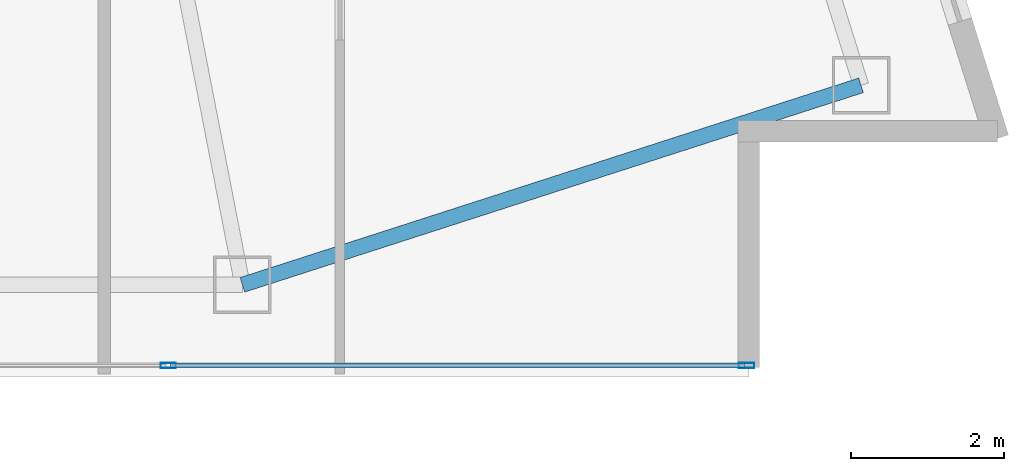
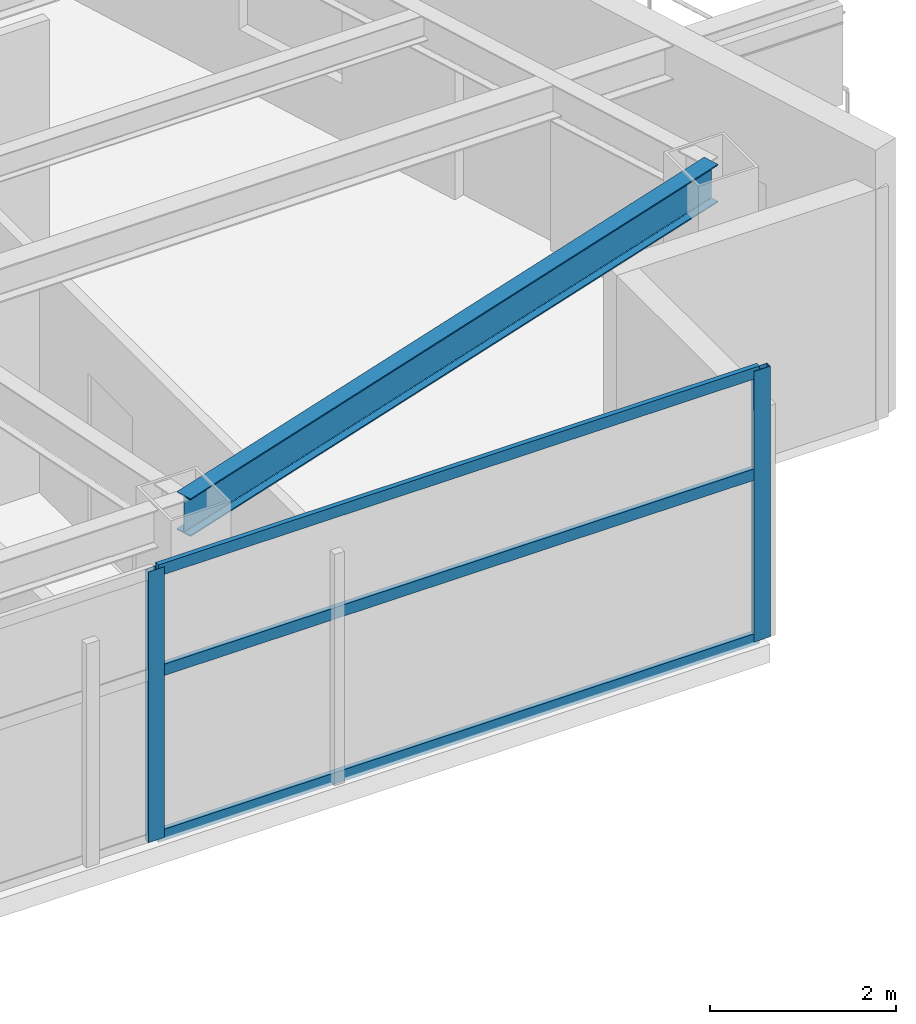
# One storey, part 14 of 29: 5 members, 1 beam, 1 element without a shape of its own.
"""IFC4 building model written with IfcOpenShell, lengths in metres."""

from ifc_helpers import new_model, si_unit, direction, frame, origin, origin_2d, place, context, subcontext, project, spatial, hollow_rectangle, i_section, extrude, material, layer, layer_set, material_profile, profile_set, type_object, element, aggregate, save


model = new_model("IFC4")

# Units and contexts
model_context = context("Model", 3, precision=1e-05, world=origin(), true_north=direction((0.0, 1.0)))
body_context = subcontext(model_context, "Body", "Model", "MODEL_VIEW")
ifc_project = project(units=[si_unit("LENGTHUNIT", "METRE"), si_unit("AREAUNIT", "SQUARE_METRE"), si_unit("VOLUMEUNIT", "CUBIC_METRE"), si_unit("PLANEANGLEUNIT", "RADIAN"), si_unit("MASSUNIT", "GRAM", prefix="KILO")], contexts=[model_context])

# Site, building, storey
site_placement = place(None, origin())
site = spatial("IfcSite", under=ifc_project, at=site_placement, CompositionType="ELEMENT")
building_placement = place(site_placement, origin())
building = spatial("IfcBuilding", under=site, at=building_placement, Name="Calvorn Quay Hotel", CompositionType="ELEMENT")
storey_placement = place(building_placement, frame((0.0, 0.0, 167.5)))
storey = spatial("IfcBuildingStorey", under=building, at=storey_placement, Name="L41", CompositionType="ELEMENT", Elevation=167.5)

# Beam
ifc_material_1 = material(Name="Steel Q355B", Category="steel")
ifc_material_profile_1 = material_profile(ifc_material_1, i_section(OverallWidth=0.199951171875, OverallDepth=0.5, WebThickness=0.010009765625, FlangeThickness=0.01611328125, FilletRadius=0.01611328125, at=origin_2d()), Name="HN500x200x10x16")
ifc_profile_set_1 = profile_set([ifc_material_profile_1], Name="Steel Q355B")
beam_type = type_object("IfcBeamType", Name="BM-SPANDREL-Z1", PredefinedType="SPANDREL", material=ifc_profile_set_1)
beam_placement = place(storey_placement, frame((49.39990234375, 3.60009765625, 3.2900390625), z_axis=(0.951725188386, 0.306951406237, 0.0), x_axis=(-0.306951406237, 0.951725188386, 0.0)))
element("IfcBeam", 1, at=beam_placement, inside=storey, type_object=beam_type, Name="Beam BSP-L41-S6", PredefinedType="SPANDREL", context=body_context, shape_type="SweptSolid", body=[
    extrude(i_section(OverallWidth=0.199951171875, OverallDepth=0.5, WebThickness=0.010009765625, FlangeThickness=0.01611328125, FilletRadius=0.01611328125, at=origin_2d()), origin(), (0.0, 0.0, 1.0), 8.469970703125),
])

# Curtain wall, members
ifc_material_2 = material(Name="Pale Anodised Aluminium and Low-E Glass", Category="aluminium")
ifc_layer = layer(ifc_material_2, 0.219970703125)
ifc_layer_set = layer_set([ifc_layer], Name="CW-SYS-Z2")
curtain_wall_type = type_object("IfcCurtainWallType", Name="CW-SYS-Z2", PredefinedType="NOTDEFINED", material=ifc_layer_set)
curtain_wall_placement = place(storey_placement, origin())
curtain_wall = element("IfcCurtainWall", 2, at=curtain_wall_placement, inside=storey, type_object=curtain_wall_type, Name="Tower South Waterfront Curtain Wall (L41)", PredefinedType="NOTDEFINED")
ifc_material_3 = material(Name="Pale Anodised Aluminium 6063-T6", Category="aluminium")
ifc_material_profile_2 = material_profile(ifc_material_3, hollow_rectangle(XDim=0.070068359375, YDim=0.199951171875, WallThickness=0.00390625, at=origin_2d()), Name="ALU-M200x70x4")
ifc_profile_set_2 = profile_set([ifc_material_profile_2], Name="Pale Anodised Aluminium 6063-T6")
member_type_1 = type_object("IfcMemberType", Name="CW-SYS-Z2-MUL", PredefinedType="MULLION", material=ifc_profile_set_2)
member_1_placement = place(storey_placement, frame((48.433349609375, 2.550048828125, 0.0), z_axis=(0.0, 0.0, 1.0), x_axis=(0.0, 1.0, 0.0)))
member_1 = element("IfcMember", 3, at=member_1_placement, type_object=member_type_1, Name="CW-L41-S mullion 6", PredefinedType="MULLION", context=body_context, shape_type="SweptSolid", body=[
    extrude(hollow_rectangle(XDim=0.070068359375, YDim=0.199951171875, WallThickness=0.00390625, at=origin_2d()), origin(), (0.0, 0.0, 1.0), 3.56005859375),
])
member_2_placement = place(storey_placement, frame((55.969970703125, 2.550048828125, 0.0), z_axis=(0.0, 0.0, 1.0), x_axis=(0.0, 1.0, 0.0)))
member_2 = element("IfcMember", 4, at=member_2_placement, type_object=member_type_1, Name="CW-L41-S mullion 7", PredefinedType="MULLION", context=body_context, shape_type="SweptSolid", body=[
    extrude(hollow_rectangle(XDim=0.070068359375, YDim=0.199951171875, WallThickness=0.00390625, at=origin_2d()), origin(), (0.0, 0.0, 1.0), 3.56005859375),
])
ifc_material_4 = material(Name="Pale Anodised Aluminium 6063-T6", Category="aluminium")
ifc_material_profile_3 = material_profile(ifc_material_4, hollow_rectangle(XDim=0.06005859375, YDim=0.14990234375, WallThickness=0.00341796875, at=origin_2d()), Name="ALU-T150x60x3.5")
ifc_profile_set_3 = profile_set([ifc_material_profile_3], Name="Pale Anodised Aluminium 6063-T6")
member_type_2 = type_object("IfcMemberType", Name="CW-SYS-Z2-TRN", PredefinedType="USERDEFINED", material=ifc_profile_set_3)
member_3_placement = place(storey_placement, frame((48.46337890625, 2.550048828125, 0.030029296875), z_axis=(1.0, 0.0, 0.0), x_axis=(0.0, 1.0, 0.0)))
member_3 = element("IfcMember", 5, at=member_3_placement, type_object=member_type_2, Name="CW-L41-S transom 6.1", ObjectType="TRANSOM", PredefinedType="USERDEFINED", context=body_context, shape_type="SweptSolid", body=[
    extrude(hollow_rectangle(XDim=0.06005859375, YDim=0.14990234375, WallThickness=0.00341796875, at=origin_2d()), origin(), (0.0, 0.0, 1.0), 7.4765625),
])
member_4_placement = place(storey_placement, frame((48.46337890625, 2.550048828125, 2.199951171875), z_axis=(1.0, 0.0, 0.0), x_axis=(0.0, 1.0, 0.0)))
member_4 = element("IfcMember", 6, at=member_4_placement, type_object=member_type_2, Name="CW-L41-S transom 6.2", ObjectType="TRANSOM", PredefinedType="USERDEFINED", context=body_context, shape_type="SweptSolid", body=[
    extrude(hollow_rectangle(XDim=0.06005859375, YDim=0.14990234375, WallThickness=0.00341796875, at=origin_2d()), origin(), (0.0, 0.0, 1.0), 7.4765625),
])
member_5_placement = place(storey_placement, frame((48.46337890625, 2.550048828125, 3.530029296875), z_axis=(1.0, 0.0, 0.0), x_axis=(0.0, 1.0, 0.0)))
member_5 = element("IfcMember", 7, at=member_5_placement, type_object=member_type_2, Name="CW-L41-S transom 6.3", ObjectType="TRANSOM", PredefinedType="USERDEFINED", context=body_context, shape_type="SweptSolid", body=[
    extrude(hollow_rectangle(XDim=0.06005859375, YDim=0.14990234375, WallThickness=0.00341796875, at=origin_2d()), origin(), (0.0, 0.0, 1.0), 7.4765625),
])
aggregate(curtain_wall, [member_1, member_2, member_3, member_4, member_5])

save(model, "model.ifc")
